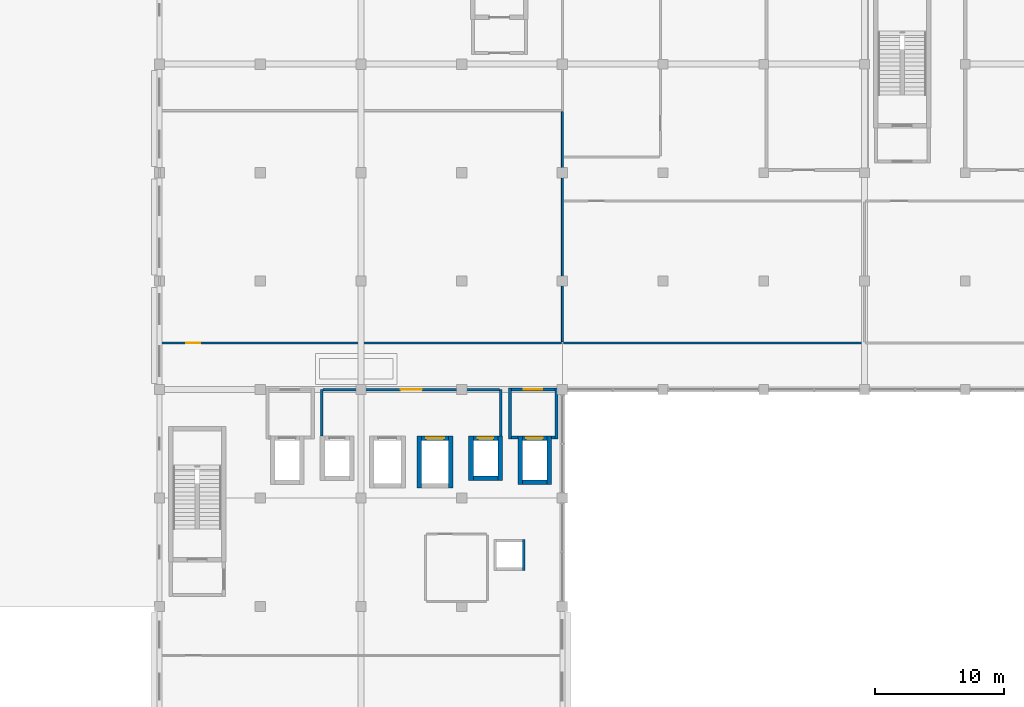
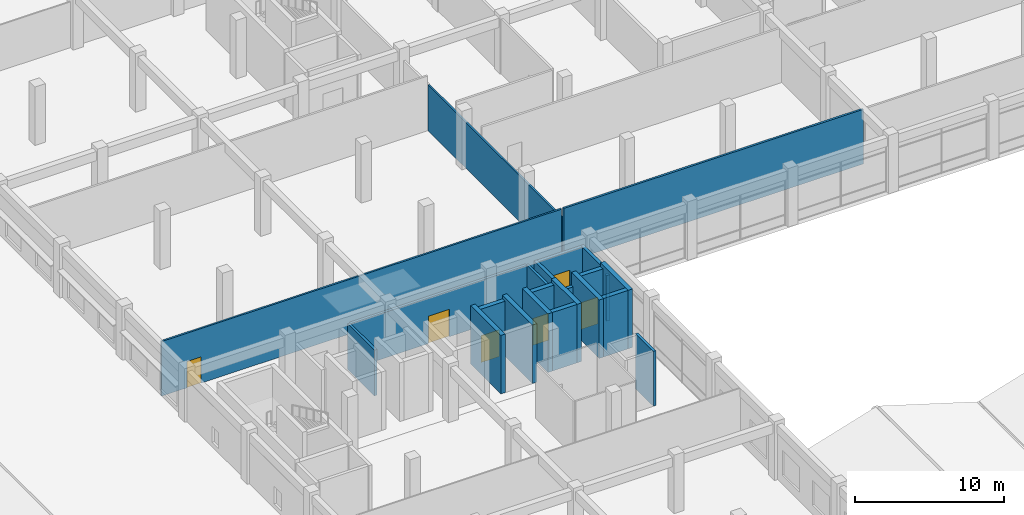
# One storey, part 41 of 62: 23 walls, 6 doors, 6 openings.
"""IFC4 building model written with IfcOpenShell, lengths in metres."""

from ifc_helpers import new_model, si_unit, direction, frame, frame_2d, origin, place, context, subcontext, project, spatial, rectangle, extrude, material, layer, layer_set, type_object, element, fill, save


model = new_model("IFC4")

# Units and contexts
model_context = context("Model", 3, precision=1e-05, world=origin(), true_north=direction((0.0, 1.0)))
body_context = subcontext(model_context, "Body", "Model", "MODEL_VIEW")
ifc_project = project(units=[si_unit("LENGTHUNIT", "METRE"), si_unit("AREAUNIT", "SQUARE_METRE"), si_unit("VOLUMEUNIT", "CUBIC_METRE"), si_unit("PLANEANGLEUNIT", "RADIAN"), si_unit("MASSUNIT", "GRAM", prefix="KILO"), si_unit("THERMODYNAMICTEMPERATUREUNIT", "KELVIN"), si_unit("POWERUNIT", "WATT")], contexts=[model_context])

# Site, building, storey
site_placement = place(None, origin())
site = spatial("IfcSite", under=ifc_project, at=site_placement, CompositionType="ELEMENT")
building_placement = place(site_placement, origin())
building = spatial("IfcBuilding", under=site, at=building_placement, Name="Srebrne Nadtorze General Hospital", CompositionType="ELEMENT")
storey_placement = place(building_placement, frame((0.0, 0.0, 9.60009765625)))
storey = spatial("IfcBuildingStorey", under=building, at=storey_placement, Name="L02", CompositionType="ELEMENT", Elevation=9.60009765625)

# Wall, opening, door
ifc_material_1 = material(Name="Gypsum Healthcare Partition")
ifc_layer_1 = layer(ifc_material_1, 0.139892578125)
ifc_layer_set_1 = layer_set([ifc_layer_1], Name="Gypsum Healthcare Partition")
wall_type_1 = type_object("IfcWallType", Name="Clinical partition 140", PredefinedType="PARTITIONING", material=ifc_layer_set_1)
wall_1_placement = place(storey_placement, frame((23.485107421875, 54.0, 0.0), z_axis=(0.0, 0.0, 1.0), x_axis=(1.0, 0.0, 0.0)))
wall_1 = element("IfcWall", 1, at=wall_1_placement, inside=storey, type_object=wall_type_1, Name="Neuro-Intensive Care Unit wall WL-INT-L02-1509", PredefinedType="PARTITIONING", context=body_context, shape_type="SweptSolid", body=[
    extrude(rectangle(XDim=31.02978515625, YDim=0.139892578125, at=frame_2d((15.514892578125, 0.0))), origin(), (0.0, 0.0, 1.0), 4.47998046875),
])
opening_1_placement = place(wall_1_placement, frame((1.982421875, 0.0, 0.0)))
opening_1 = element("IfcOpeningElement", 2, at=opening_1_placement, cuts=wall_1, Name="Opening D-L02-0242", PredefinedType="OPENING", context=body_context, shape_type="SweptSolid", body=[
    extrude(rectangle(XDim=1.080078125, YDim=2.14990234375, at=frame_2d((0.5400390625, 1.074951171875))), frame((0.0, 0.08203125, 0.0), z_axis=(0.0, -1.0, 0.0), x_axis=(1.0, 0.0, 0.0)), (0.0, 0.0, 1.0), 0.163818359375),
])
ifc_material_2 = material(Name="Anodised Aluminium", Category="aluminium")
door_type_1 = type_object("IfcDoorType", Name="Single leaf door 1080x2150", OperationType="NOTDEFINED", PredefinedType="DOOR", material=ifc_material_2)
door_1_placement = place(opening_1_placement, origin())
door_1 = element("IfcDoor", 3, at=door_1_placement, inside=storey, type_object=door_type_1, Name="Neuro-Intensive Care Unit door D-L02-0242", OperationType="SINGLE_SWING_LEFT", OverallHeight=2.14990234375, OverallWidth=1.080078125, PredefinedType="DOOR", context=body_context, shape_type="SweptSolid", body=[
    extrude(rectangle(XDim=1.080078125, YDim=2.14990234375, at=frame_2d((0.5400390625, 1.074951171875))), frame((0.0, 0.02490234375, 0.0), z_axis=(0.0, -1.0, 0.0), x_axis=(1.0, 0.0, 0.0)), (0.0, 0.0, 1.0), 0.050048828125),
])
fill(opening_1, door_1)

# Walls
wall_2_placement = place(storey_placement, frame((54.60009765625, 54.0849609375, 0.0), z_axis=(0.0, 0.0, 1.0), x_axis=(0.0, 1.0, 0.0)))
element("IfcWall", 4, at=wall_2_placement, inside=storey, type_object=wall_type_1, Name="Neuro-Intensive Care Unit wall WL-INT-L02-1513", PredefinedType="PARTITIONING", context=body_context, shape_type="SweptSolid", body=[
    extrude(rectangle(XDim=17.830078125, YDim=0.139892578125, at=frame_2d((8.9150390625, 0.0))), origin(), (0.0, 0.0, 1.0), 3.75),
])
ifc_material_3 = material(Name="Gypsum Healthcare Partition")
ifc_layer_2 = layer(ifc_material_3, 0.159912109375)
ifc_layer_set_2 = layer_set([ifc_layer_2], Name="Gypsum Healthcare Partition")
wall_type_2 = type_object("IfcWallType", Name="Clinical partition 160", PredefinedType="PARTITIONING", material=ifc_layer_set_2)
wall_3_placement = place(storey_placement, frame((54.68505859375, 54.0, 0.0), z_axis=(0.0, 0.0, 1.0), x_axis=(1.0, 0.0, 0.0)))
element("IfcWall", 5, at=wall_3_placement, inside=storey, type_object=wall_type_2, Name="Post-Anaesthesia Care Unit wall WL-INT-L02-1525", PredefinedType="PARTITIONING", context=body_context, shape_type="SweptSolid", body=[
    extrude(rectangle(XDim=23.22998046875, YDim=0.159912109375, at=frame_2d((11.614990234375, 0.0))), origin(), (0.0, 0.0, 1.0), 4.47998046875),
])
ifc_material_4 = material(Name="Gypsum Healthcare Partition")
ifc_layer_3 = layer(ifc_material_4, 0.199951171875)
ifc_layer_set_3 = layer_set([ifc_layer_3], Name="Gypsum Healthcare Partition")
wall_type_3 = type_object("IfcWallType", Name="Compartment wall 200", PredefinedType="STANDARD", material=ifc_layer_set_3)
for number, where, z_axis, x_axis, name in (
    (6, (35.97998046875, 46.81005859375, 0.0), (0.0, 0.0, 1.0), (0.0, 1.0, 0.0), "Lift lobby side wall WL-INT-L02-0991"),
    (7, (49.820068359375, 46.81005859375, 0.0), (0.0, 0.0, 1.0), (0.0, 1.0, 0.0), "Lift lobby side wall WL-INT-L02-0992"),
):
    element("IfcWall", number, at=place(storey_placement, frame(where, z_axis=z_axis, x_axis=x_axis)), inside=storey, type_object=wall_type_3, Name=name, PredefinedType="STANDARD", context=body_context, shape_type="SweptSolid", body=[
        extrude(rectangle(XDim=3.58984375, YDim=0.199951171875, at=frame_2d((1.794921875, 0.0))), origin(), (0.0, 0.0, 1.0), 3.75),
    ])

# Wall, opening, door
wall_4_placement = place(storey_placement, frame((36.080078125, 50.39990234375, 0.0), z_axis=(0.0, 0.0, 1.0), x_axis=(1.0, 0.0, 0.0)))
wall_4 = element("IfcWall", 8, at=wall_4_placement, inside=storey, type_object=wall_type_3, Name="Lift lobby corridor wall WL-INT-L02-0993", PredefinedType="STANDARD", context=body_context, shape_type="SweptSolid", body=[
    extrude(rectangle(XDim=13.639892578125, YDim=0.199951171875, at=frame_2d((6.81982421875, 0.0))), origin(), (0.0, 0.0, 1.0), 3.75),
])
opening_2_placement = place(wall_4_placement, frame((5.9951171875, 0.0, 0.0)))
opening_2 = element("IfcOpeningElement", 9, at=opening_2_placement, cuts=wall_4, Name="Opening D-L02-0134", PredefinedType="OPENING", context=body_context, shape_type="SweptSolid", body=[
    extrude(rectangle(XDim=1.64990234375, YDim=2.25, at=frame_2d((0.824951171875, 1.125))), frame((0.0, 0.11181640625, 0.0), z_axis=(0.0, -1.0, 0.0), x_axis=(1.0, 0.0, 0.0)), (0.0, 0.0, 1.0), 0.223876953125),
])
ifc_material_5 = material(Name="Anodised Aluminium", Category="aluminium")
door_type_2 = type_object("IfcDoorType", Name="Double leaf door 1650x2250", OperationType="DOUBLE_DOOR_SINGLE_SWING", PredefinedType="DOOR", material=ifc_material_5)
door_2_placement = place(opening_2_placement, origin())
door_2 = element("IfcDoor", 10, at=door_2_placement, inside=storey, type_object=door_type_2, Name="Lift lobby corridor door D-L02-0134", OperationType="DOUBLE_DOOR_SINGLE_SWING", OverallHeight=2.25, OverallWidth=1.64990234375, PredefinedType="DOOR", context=body_context, shape_type="SweptSolid", body=[
    extrude(rectangle(XDim=1.64990234375, YDim=2.25, at=frame_2d((0.824951171875, 1.125))), frame((0.0, 0.02490234375, 0.0), z_axis=(0.0, -1.0, 0.0), x_axis=(1.0, 0.0, 0.0)), (0.0, 0.0, 1.0), 0.050048828125),
])
fill(opening_2, door_2)

# Walls
wall_5_placement = place(storey_placement, frame((51.60009765625, 36.39990234375, 0.0), z_axis=(0.0, 0.0, 1.0), x_axis=(0.0, 1.0, 0.0)))
element("IfcWall", 11, at=wall_5_placement, inside=storey, type_object=wall_type_3, Name="MEP riser wall WL-INT-L02-1003", PredefinedType="STANDARD", context=body_context, shape_type="SweptSolid", body=[
    extrude(rectangle(XDim=2.400146484375, YDim=0.199951171875, at=frame_2d((1.2001953125, 0.0))), origin(), (0.0, 0.0, 1.0), 4.5),
])
ifc_material_6 = material(Name="Gypsum Healthcare Partition")
ifc_layer_4 = layer(ifc_material_6, 0.239990234375)
ifc_layer_set_4 = layer_set([ifc_layer_4], Name="Gypsum Healthcare Partition")
wall_type_4 = type_object("IfcWallType", Name="Corridor fire wall 240", PredefinedType="STANDARD", material=ifc_layer_set_4)
for number, where, z_axis, x_axis, name in (
    (12, (50.530029296875, 46.570068359375, 0.0), (0.0, 0.0, 1.0), (0.0, 1.0, 0.0), "FF lift lobby wall WL-INT-L02-0986"),
    (13, (54.139892578125, 46.570068359375, 0.0), (0.0, 0.0, 1.0), (0.0, 1.0, 0.0), "FF lift lobby wall WL-INT-L02-0987"),
):
    element("IfcWall", number, at=place(storey_placement, frame(where, z_axis=z_axis, x_axis=x_axis)), inside=storey, type_object=wall_type_4, Name=name, PredefinedType="STANDARD", context=body_context, shape_type="SweptSolid", body=[
        extrude(rectangle(XDim=3.949951171875, YDim=0.239990234375, at=frame_2d((1.97509765625, 0.0))), origin(), (0.0, 0.0, 1.0), 3.75),
    ])
wall_6_placement = place(storey_placement, frame((50.64990234375, 46.68994140625, 0.0), z_axis=(0.0, 0.0, 1.0), x_axis=(1.0, 0.0, 0.0)))
element("IfcWall", 14, at=wall_6_placement, inside=storey, type_object=wall_type_4, Name="FF lift lobby return wall WL-INT-L02-0988", PredefinedType="STANDARD", context=body_context, shape_type="SweptSolid", body=[
    extrude(rectangle(XDim=0.5, YDim=0.239990234375, at=frame_2d((0.25, 0.0))), origin(), (0.0, 0.0, 1.0), 3.75),
])
wall_7_placement = place(storey_placement, frame((53.75, 46.68994140625, 0.0), z_axis=(0.0, 0.0, 1.0), x_axis=(1.0, 0.0, 0.0)))
element("IfcWall", 15, at=wall_7_placement, inside=storey, type_object=wall_type_4, Name="FF lift lobby return wall WL-INT-L02-0989", PredefinedType="STANDARD", context=body_context, shape_type="SweptSolid", body=[
    extrude(rectangle(XDim=0.27001953125, YDim=0.239990234375, at=frame_2d((0.135009765625, 0.0))), origin(), (0.0, 0.0, 1.0), 3.75),
])

# Wall, opening, door
wall_8_placement = place(storey_placement, frame((50.64990234375, 50.39990234375, 0.0), z_axis=(0.0, 0.0, 1.0), x_axis=(1.0, 0.0, 0.0)))
wall_8 = element("IfcWall", 16, at=wall_8_placement, inside=storey, type_object=wall_type_4, Name="FF lift lobby front wall WL-INT-L02-0990", PredefinedType="STANDARD", context=body_context, shape_type="SweptSolid", body=[
    extrude(rectangle(XDim=3.3701171875, YDim=0.239990234375, at=frame_2d((1.68505859375, 0.0))), origin(), (0.0, 0.0, 1.0), 3.75),
])
opening_3_placement = place(wall_8_placement, frame((0.9599609375, 0.0, 0.0)))
opening_3 = element("IfcOpeningElement", 17, at=opening_3_placement, cuts=wall_8, Name="Opening D-L02-0133", PredefinedType="OPENING", context=body_context, shape_type="SweptSolid", body=[
    extrude(rectangle(XDim=1.449951171875, YDim=2.199951171875, at=frame_2d((0.72509765625, 1.10009765625))), frame((0.0, 0.1318359375, 0.0), z_axis=(0.0, -1.0, 0.0), x_axis=(1.0, 0.0, 0.0)), (0.0, 0.0, 1.0), 0.263916015625),
])
ifc_material_7 = material(Name="Anodised Aluminium", Category="aluminium")
door_type_3 = type_object("IfcDoorType", Name="Double leaf door 1450x2200", OperationType="DOUBLE_DOOR_SINGLE_SWING", PredefinedType="DOOR", material=ifc_material_7)
door_3_placement = place(opening_3_placement, origin())
door_3 = element("IfcDoor", 18, at=door_3_placement, inside=storey, type_object=door_type_3, Name="Firefighting lift lobby door D-L02-0133", OperationType="DOUBLE_DOOR_SINGLE_SWING", OverallHeight=2.199951171875, OverallWidth=1.449951171875, PredefinedType="DOOR", context=body_context, shape_type="SweptSolid", body=[
    extrude(rectangle(XDim=1.449951171875, YDim=2.199951171875, at=frame_2d((0.72509765625, 1.10009765625))), frame((0.0, 0.02490234375, 0.0), z_axis=(0.0, -1.0, 0.0), x_axis=(1.0, 0.0, 0.0)), (0.0, 0.0, 1.0), 0.050048828125),
])
fill(opening_3, door_3)

# Walls
ifc_material_8 = material(Name="Concrete C40/50", Category="concrete")
ifc_layer_5 = layer(ifc_material_8, 0.35009765625)
ifc_layer_set_5 = layer_set([ifc_layer_5], Name="Concrete C40/50")
wall_type_5 = type_object("IfcWallType", Name="Shear core wall 350", PredefinedType="SHEAR", material=ifc_layer_set_5)
for number, where, z_axis, x_axis, name in (
    (19, (43.52490234375, 42.760009765625, 0.0), (0.0, 0.0, 1.0), (0.0, 1.0, 0.0), "Lift shaft wall LS-02 WL-INT-L02-0594"),
    (20, (45.97509765625, 42.760009765625, 0.0), (0.0, 0.0, 1.0), (0.0, 1.0, 0.0), "Lift shaft wall LS-02 WL-INT-L02-0595"),
):
    element("IfcWall", number, at=place(storey_placement, frame(where, z_axis=z_axis, x_axis=x_axis)), inside=storey, type_object=wall_type_5, Name=name, PredefinedType="SHEAR", context=body_context, shape_type="SweptSolid", body=[
        extrude(rectangle(XDim=4.050048828125, YDim=0.35009765625, at=frame_2d((2.02490234375, 0.0))), origin(), (0.0, 0.0, 1.0), 4.7998046875),
    ])

# Wall, opening, door
wall_9_placement = place(storey_placement, frame((43.699951171875, 46.635009765625, 0.0), z_axis=(0.0, 0.0, 1.0), x_axis=(1.0, 0.0, 0.0)))
wall_9 = element("IfcWall", 21, at=wall_9_placement, inside=storey, type_object=wall_type_5, Name="Lift shaft front wall LS-02 WL-INT-L02-0597", PredefinedType="SHEAR", context=body_context, shape_type="SweptSolid", body=[
    extrude(rectangle(XDim=2.10009765625, YDim=0.35009765625, at=frame_2d((1.050048828125, 0.0))), origin(), (0.0, 0.0, 1.0), 4.5),
])
opening_4_placement = place(wall_9_placement, frame((0.35009765625, 0.0, 0.0)))
opening_4 = element("IfcOpeningElement", 22, at=opening_4_placement, cuts=wall_9, Name="Opening LD-L02-033", PredefinedType="OPENING", context=body_context, shape_type="SweptSolid", body=[
    extrude(rectangle(XDim=1.39990234375, YDim=2.199951171875, at=frame_2d((0.699951171875, 1.10009765625))), frame((0.0, 0.18701171875, 0.0), z_axis=(0.0, -1.0, 0.0), x_axis=(1.0, 0.0, 0.0)), (0.0, 0.0, 1.0), 0.3740234375),
])
ifc_material_9 = material(Name="Anodised Aluminium", Category="aluminium")
door_type_4 = type_object("IfcDoorType", Name="Sliding lift door 1400x2200", OperationType="SLIDING_TO_LEFT", PredefinedType="DOOR", material=ifc_material_9)
door_4_placement = place(opening_4_placement, origin())
door_4 = element("IfcDoor", 23, at=door_4_placement, inside=storey, type_object=door_type_4, Name="Lift Landing Door LD-L02-033", OperationType="SLIDING_TO_LEFT", OverallHeight=2.199951171875, OverallWidth=1.39990234375, PredefinedType="DOOR", context=body_context, shape_type="SweptSolid", body=[
    extrude(rectangle(XDim=1.39990234375, YDim=2.199951171875, at=frame_2d((0.699951171875, 1.10009765625))), frame((0.0, 0.02490234375, 0.0), z_axis=(0.0, -1.0, 0.0), x_axis=(1.0, 0.0, 0.0)), (0.0, 0.0, 1.0), 0.050048828125),
])
fill(opening_4, door_4)

# Walls
for number, where, z_axis, x_axis, name in (
    (24, (47.52490234375, 43.360107421875, 0.0), (0.0, 0.0, 1.0), (0.0, 1.0, 0.0), "Lift shaft wall LP-02 WL-INT-L02-0634"),
    (25, (49.77490234375, 43.360107421875, 0.0), (0.0, 0.0, 1.0), (0.0, 1.0, 0.0), "Lift shaft wall LP-02 WL-INT-L02-0635"),
):
    element("IfcWall", number, at=place(storey_placement, frame(where, z_axis=z_axis, x_axis=x_axis)), inside=storey, type_object=wall_type_5, Name=name, PredefinedType="SHEAR", context=body_context, shape_type="SweptSolid", body=[
        extrude(rectangle(XDim=3.449951171875, YDim=0.35009765625, at=frame_2d((1.72509765625, 0.0))), origin(), (0.0, 0.0, 1.0), 4.7998046875),
    ])
wall_10_placement = place(storey_placement, frame((47.699951171875, 43.534912109375, 0.0), z_axis=(0.0, 0.0, 1.0), x_axis=(1.0, 0.0, 0.0)))
element("IfcWall", 26, at=wall_10_placement, inside=storey, type_object=wall_type_5, Name="Lift shaft back wall LP-02 WL-INT-L02-0636", PredefinedType="SHEAR", context=body_context, shape_type="SweptSolid", body=[
    extrude(rectangle(XDim=1.900146484375, YDim=0.35009765625, at=frame_2d((0.9501953125, 0.0))), origin(), (0.0, 0.0, 1.0), 4.7998046875),
])

# Wall, opening, door
wall_11_placement = place(storey_placement, frame((47.699951171875, 46.635009765625, 0.0), z_axis=(0.0, 0.0, 1.0), x_axis=(1.0, 0.0, 0.0)))
wall_11 = element("IfcWall", 27, at=wall_11_placement, inside=storey, type_object=wall_type_5, Name="Lift shaft front wall LP-02 WL-INT-L02-0637", PredefinedType="SHEAR", context=body_context, shape_type="SweptSolid", body=[
    extrude(rectangle(XDim=1.900146484375, YDim=0.35009765625, at=frame_2d((0.9501953125, 0.0))), origin(), (0.0, 0.0, 1.0), 4.5),
])
opening_5_placement = place(wall_11_placement, frame((0.35009765625, 0.0, 0.0)))
opening_5 = element("IfcOpeningElement", 28, at=opening_5_placement, cuts=wall_11, Name="Opening LD-L02-043", PredefinedType="OPENING", context=body_context, shape_type="SweptSolid", body=[
    extrude(rectangle(XDim=1.199951171875, YDim=2.199951171875, at=frame_2d((0.60009765625, 1.10009765625))), frame((0.0, 0.18701171875, 0.0), z_axis=(0.0, -1.0, 0.0), x_axis=(1.0, 0.0, 0.0)), (0.0, 0.0, 1.0), 0.3740234375),
])
ifc_material_10 = material(Name="Anodised Aluminium", Category="aluminium")
door_type_5 = type_object("IfcDoorType", Name="Sliding lift door 1200x2200", OperationType="SLIDING_TO_LEFT", PredefinedType="DOOR", material=ifc_material_10)
door_5_placement = place(opening_5_placement, origin())
door_5 = element("IfcDoor", 29, at=door_5_placement, inside=storey, type_object=door_type_5, Name="Lift Landing Door LD-L02-043", OperationType="SLIDING_TO_LEFT", OverallHeight=2.199951171875, OverallWidth=1.199951171875, PredefinedType="DOOR", context=body_context, shape_type="SweptSolid", body=[
    extrude(rectangle(XDim=1.199951171875, YDim=2.199951171875, at=frame_2d((0.60009765625, 1.10009765625))), frame((0.0, 0.02490234375, 0.0), z_axis=(0.0, -1.0, 0.0), x_axis=(1.0, 0.0, 0.0)), (0.0, 0.0, 1.0), 0.050048828125),
])
fill(opening_5, door_5)

# Walls
for number, where, z_axis, x_axis, name in (
    (30, (51.324951171875, 43.06005859375, 0.0), (0.0, 0.0, 1.0), (0.0, 1.0, 0.0), "Lift shaft wall FL-02 WL-INT-L02-0670"),
    (31, (53.574951171875, 43.06005859375, 0.0), (0.0, 0.0, 1.0), (0.0, 1.0, 0.0), "Lift shaft wall FL-02 WL-INT-L02-0671"),
):
    element("IfcWall", number, at=place(storey_placement, frame(where, z_axis=z_axis, x_axis=x_axis)), inside=storey, type_object=wall_type_5, Name=name, PredefinedType="SHEAR", context=body_context, shape_type="SweptSolid", body=[
        extrude(rectangle(XDim=3.75, YDim=0.35009765625, at=frame_2d((1.875, 0.0))), origin(), (0.0, 0.0, 1.0), 4.7998046875),
    ])
wall_12_placement = place(storey_placement, frame((51.5, 43.235107421875, 0.0), z_axis=(0.0, 0.0, 1.0), x_axis=(1.0, 0.0, 0.0)))
element("IfcWall", 32, at=wall_12_placement, inside=storey, type_object=wall_type_5, Name="Lift shaft back wall FL-02 WL-INT-L02-0672", PredefinedType="SHEAR", context=body_context, shape_type="SweptSolid", body=[
    extrude(rectangle(XDim=1.89990234375, YDim=0.35009765625, at=frame_2d((0.949951171875, 0.0))), origin(), (0.0, 0.0, 1.0), 4.7998046875),
])

# Wall, opening, door
wall_13_placement = place(storey_placement, frame((51.5, 46.635009765625, 0.0), z_axis=(0.0, 0.0, 1.0), x_axis=(1.0, 0.0, 0.0)))
wall_13 = element("IfcWall", 33, at=wall_13_placement, inside=storey, type_object=wall_type_5, Name="Lift shaft front wall FL-02 WL-INT-L02-0673", PredefinedType="SHEAR", context=body_context, shape_type="SweptSolid", body=[
    extrude(rectangle(XDim=1.89990234375, YDim=0.35009765625, at=frame_2d((0.949951171875, 0.0))), origin(), (0.0, 0.0, 1.0), 4.5),
])
opening_6_placement = place(wall_13_placement, frame((0.300048828125, 0.0, 0.0)))
opening_6 = element("IfcOpeningElement", 34, at=opening_6_placement, cuts=wall_13, Name="Opening LD-L02-052", PredefinedType="OPENING", context=body_context, shape_type="SweptSolid", body=[
    extrude(rectangle(XDim=1.300048828125, YDim=2.199951171875, at=frame_2d((0.64990234375, 1.10009765625))), frame((0.0, 0.18701171875, 0.0), z_axis=(0.0, -1.0, 0.0), x_axis=(1.0, 0.0, 0.0)), (0.0, 0.0, 1.0), 0.3740234375),
])
ifc_material_11 = material(Name="Anodised Aluminium", Category="aluminium")
door_type_6 = type_object("IfcDoorType", Name="Sliding lift door 1300x2200", OperationType="SLIDING_TO_LEFT", PredefinedType="DOOR", material=ifc_material_11)
door_6_placement = place(opening_6_placement, origin())
door_6 = element("IfcDoor", 35, at=door_6_placement, inside=storey, type_object=door_type_6, Name="Lift Landing Door LD-L02-052", OperationType="SLIDING_TO_LEFT", OverallHeight=2.199951171875, OverallWidth=1.300048828125, PredefinedType="DOOR", context=body_context, shape_type="SweptSolid", body=[
    extrude(rectangle(XDim=1.300048828125, YDim=2.199951171875, at=frame_2d((0.64990234375, 1.10009765625))), frame((0.0, 0.02490234375, 0.0), z_axis=(0.0, -1.0, 0.0), x_axis=(1.0, 0.0, 0.0)), (0.0, 0.0, 1.0), 0.050048828125),
])
fill(opening_6, door_6)

save(model, "model.ifc")
